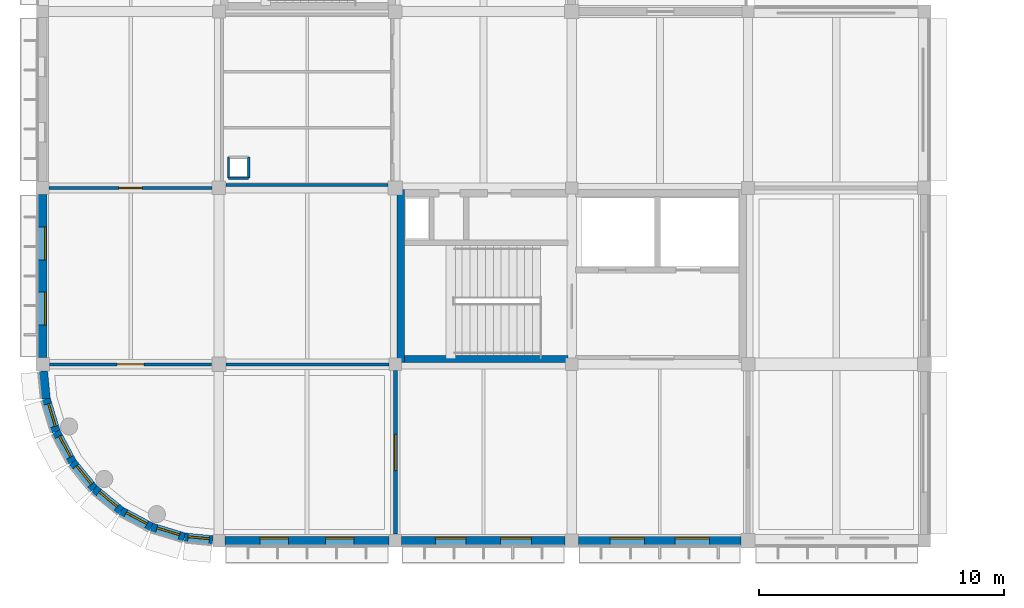
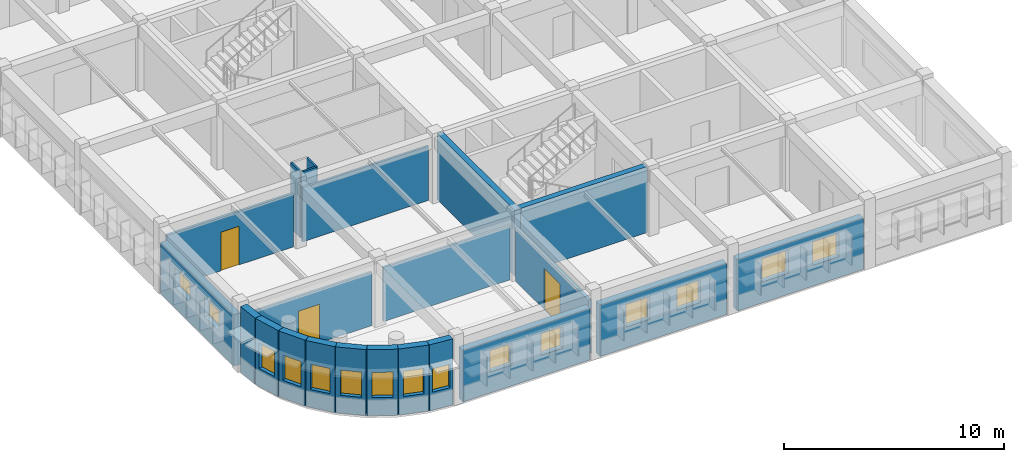
# One storey, part 11 of 22: 22 walls, 15 windows, 3 doors, 18 openings.
"""IFC4 building model written with IfcOpenShell, lengths in metres."""

from ifc_helpers import new_model, si_unit, direction, frame, frame_2d, origin, place, context, subcontext, project, spatial, rectangle, extrude, material, layer, layer_set, type_object, element, fill, save


model = new_model("IFC4")

# Units and contexts
model_context = context("Model", 3, precision=1e-05, world=origin(), true_north=direction((0.0, 1.0)))
body_context = subcontext(model_context, "Body", "Model", "MODEL_VIEW")
ifc_project = project(units=[si_unit("LENGTHUNIT", "METRE"), si_unit("AREAUNIT", "SQUARE_METRE"), si_unit("VOLUMEUNIT", "CUBIC_METRE"), si_unit("PLANEANGLEUNIT", "RADIAN"), si_unit("MASSUNIT", "GRAM", prefix="KILO")], contexts=[model_context])

# Site, building, storey
site_placement = place(None, origin())
site = spatial("IfcSite", under=ifc_project, at=site_placement, CompositionType="ELEMENT")
building_placement = place(site_placement, origin())
building = spatial("IfcBuilding", under=site, at=building_placement, Name="Thalmaran Polytechnic", CompositionType="ELEMENT")
storey_placement = place(building_placement, frame((0.0, 0.0, 22.800048828125)))
storey = spatial("IfcBuildingStorey", under=building, at=storey_placement, Name="L05", CompositionType="ELEMENT", Elevation=22.800048828125)

# Wall, opening, window
ifc_material_1 = material(Name="Precast concrete C40/50", Category="concrete")
ifc_layer_1 = layer(ifc_material_1, 0.360107421875, Name="Precast concrete C40/50")
ifc_layer_set_1 = layer_set([ifc_layer_1], Name="Precast concrete C40/50")
wall_type_1 = type_object("IfcWallType", Name="WL-EW01", PredefinedType="STANDARD", material=ifc_layer_set_1)
wall_1_placement = place(storey_placement, frame((3.199951171875, 1.21337890625, 0.0), z_axis=(0.0, 0.0, 1.0), x_axis=(-0.772977670605, 0.634433227965, 0.0)))
wall_1 = element("IfcWall", 1, at=wall_1_placement, inside=storey, type_object=wall_type_1, Name="Exterior Precast Facade Wall L05-035", PredefinedType="STANDARD", context=body_context, shape_type="SweptSolid", body=[
    extrude(rectangle(XDim=1.41162109375, YDim=0.360107421875, at=frame_2d((0.705810546875, 0.0))), origin(), (0.0, 0.0, 1.0), 3.669921875),
])
opening_1_placement = place(wall_1_placement, frame((0.2255859375, 0.0, 1.0)))
opening_1 = element("IfcOpeningElement", 2, at=opening_1_placement, cuts=wall_1, Name="Opening CR01", PredefinedType="OPENING", context=body_context, shape_type="SweptSolid", body=[
    extrude(rectangle(XDim=0.9599609375, YDim=1.39990234375, at=frame_2d((0.47998046875, 0.699951171875))), frame((0.0, 0.18994140625, 0.0), z_axis=(0.0, -1.0, 0.0), x_axis=(1.0, 0.0, 0.0)), (0.0, 0.0, 1.0), 0.380126953125),
])
ifc_material_2 = material(Name="Thermally broken aluminium and double low-E glass", Category="aluminium")
window_type_1 = type_object("IfcWindowType", Name="WN-CR01", PartitioningType="SINGLE_PANEL", PredefinedType="WINDOW", material=ifc_material_2)
window_1_placement = place(opening_1_placement, origin())
window_1 = element("IfcWindow", 3, at=window_1_placement, inside=storey, type_object=window_type_1, Name="Curved Prow Ribbon Window W-0692", OverallHeight=1.39990234375, OverallWidth=0.9599609375, PartitioningType="SINGLE_PANEL", PredefinedType="WINDOW", context=body_context, shape_type="SweptSolid", body=[
    extrude(rectangle(XDim=0.9599609375, YDim=1.39990234375, at=frame_2d((0.47998046875, 0.699951171875))), frame((0.0, -0.010009765625, 0.0), z_axis=(0.0, -1.0, 0.0), x_axis=(1.0, 0.0, 0.0)), (0.0, 0.0, 1.0), 0.06005859375),
])
fill(opening_1, window_1)

wall_2_placement = place(storey_placement, frame((2.10888671875, 2.10888671875, 0.0), z_axis=(0.0, 0.0, 1.0), x_axis=(-0.634433227965, 0.772977670605, 0.0)))
wall_2 = element("IfcWall", 4, at=wall_2_placement, inside=storey, type_object=wall_type_1, Name="Exterior Precast Facade Wall L05-036", PredefinedType="STANDARD", context=body_context, shape_type="SweptSolid", body=[
    extrude(rectangle(XDim=1.41162109375, YDim=0.360107421875, at=frame_2d((0.705810546875, 0.0))), origin(), (0.0, 0.0, 1.0), 3.669921875),
])
opening_2_placement = place(wall_2_placement, frame((0.2255859375, 0.0, 1.0)))
opening_2 = element("IfcOpeningElement", 5, at=opening_2_placement, cuts=wall_2, Name="Opening CR01", PredefinedType="OPENING", context=body_context, shape_type="SweptSolid", body=[
    extrude(rectangle(XDim=0.9599609375, YDim=1.39990234375, at=frame_2d((0.47998046875, 0.699951171875))), frame((0.0, 0.18994140625, 0.0), z_axis=(0.0, -1.0, 0.0), x_axis=(1.0, 0.0, 0.0)), (0.0, 0.0, 1.0), 0.380126953125),
])
window_2_placement = place(opening_2_placement, origin())
window_2 = element("IfcWindow", 6, at=window_2_placement, inside=storey, type_object=window_type_1, Name="Curved Prow Ribbon Window W-0693", OverallHeight=1.39990234375, OverallWidth=0.9599609375, PartitioningType="SINGLE_PANEL", PredefinedType="WINDOW", context=body_context, shape_type="SweptSolid", body=[
    extrude(rectangle(XDim=0.9599609375, YDim=1.39990234375, at=frame_2d((0.47998046875, 0.699951171875))), frame((0.0, -0.010009765625, 0.0), z_axis=(0.0, -1.0, 0.0), x_axis=(1.0, 0.0, 0.0)), (0.0, 0.0, 1.0), 0.06005859375),
])
fill(opening_2, window_2)

wall_3_placement = place(storey_placement, frame((1.21337890625, 3.199951171875, 0.0), z_axis=(0.0, 0.0, 1.0), x_axis=(-0.471405109778, 0.881916788861, 0.0)))
wall_3 = element("IfcWall", 7, at=wall_3_placement, inside=storey, type_object=wall_type_1, Name="Exterior Precast Facade Wall L05-037", PredefinedType="STANDARD", context=body_context, shape_type="SweptSolid", body=[
    extrude(rectangle(XDim=1.411376953125, YDim=0.360107421875, at=frame_2d((0.70556640625, 0.0))), origin(), (0.0, 0.0, 1.0), 3.669921875),
])
opening_3_placement = place(wall_3_placement, frame((0.2255859375, 0.0, 1.0)))
opening_3 = element("IfcOpeningElement", 8, at=opening_3_placement, cuts=wall_3, Name="Opening CR01", PredefinedType="OPENING", context=body_context, shape_type="SweptSolid", body=[
    extrude(rectangle(XDim=0.9599609375, YDim=1.39990234375, at=frame_2d((0.47998046875, 0.699951171875))), frame((0.0, 0.18994140625, 0.0), z_axis=(0.0, -1.0, 0.0), x_axis=(1.0, 0.0, 0.0)), (0.0, 0.0, 1.0), 0.380126953125),
])
window_3_placement = place(opening_3_placement, origin())
window_3 = element("IfcWindow", 9, at=window_3_placement, inside=storey, type_object=window_type_1, Name="Curved Prow Ribbon Window W-0694", OverallHeight=1.39990234375, OverallWidth=0.9599609375, PartitioningType="SINGLE_PANEL", PredefinedType="WINDOW", context=body_context, shape_type="SweptSolid", body=[
    extrude(rectangle(XDim=0.9599609375, YDim=1.39990234375, at=frame_2d((0.47998046875, 0.699951171875))), frame((0.0, -0.010009765625, 0.0), z_axis=(0.0, -1.0, 0.0), x_axis=(1.0, 0.0, 0.0)), (0.0, 0.0, 1.0), 0.06005859375),
])
fill(opening_3, window_3)

wall_4_placement = place(storey_placement, frame((0.548095703125, 4.444580078125, 0.0), z_axis=(0.0, 0.0, 1.0), x_axis=(-0.290218599957, 0.95696037757, 0.0)))
wall_4 = element("IfcWall", 10, at=wall_4_placement, inside=storey, type_object=wall_type_1, Name="Exterior Precast Facade Wall L05-038", PredefinedType="STANDARD", context=body_context, shape_type="SweptSolid", body=[
    extrude(rectangle(XDim=1.41162109375, YDim=0.360107421875, at=frame_2d((0.705810546875, 0.0))), origin(), (0.0, 0.0, 1.0), 3.669921875),
])
opening_4_placement = place(wall_4_placement, frame((0.2255859375, 0.0, 1.0)))
opening_4 = element("IfcOpeningElement", 11, at=opening_4_placement, cuts=wall_4, Name="Opening CR01", PredefinedType="OPENING", context=body_context, shape_type="SweptSolid", body=[
    extrude(rectangle(XDim=0.9599609375, YDim=1.39990234375, at=frame_2d((0.47998046875, 0.699951171875))), frame((0.0, 0.18994140625, 0.0), z_axis=(0.0, -1.0, 0.0), x_axis=(1.0, 0.0, 0.0)), (0.0, 0.0, 1.0), 0.380126953125),
])
window_4_placement = place(opening_4_placement, origin())
window_4 = element("IfcWindow", 12, at=window_4_placement, inside=storey, type_object=window_type_1, Name="Curved Prow Ribbon Window W-0695", OverallHeight=1.39990234375, OverallWidth=0.9599609375, PartitioningType="SINGLE_PANEL", PredefinedType="WINDOW", context=body_context, shape_type="SweptSolid", body=[
    extrude(rectangle(XDim=0.9599609375, YDim=1.39990234375, at=frame_2d((0.47998046875, 0.699951171875))), frame((0.0, -0.010009765625, 0.0), z_axis=(0.0, -1.0, 0.0), x_axis=(1.0, 0.0, 0.0)), (0.0, 0.0, 1.0), 0.06005859375),
])
fill(opening_4, window_4)

# Wall
wall_5_placement = place(storey_placement, frame((0.138427734375, 5.79541015625, 0.0), z_axis=(0.0, 0.0, 1.0), x_axis=(-0.098184772956, 0.995168202044, 0.0)))
element("IfcWall", 13, at=wall_5_placement, inside=storey, type_object=wall_type_1, Name="Exterior Precast Facade Wall L05-039", PredefinedType="STANDARD", context=body_context, shape_type="SweptSolid", body=[
    extrude(rectangle(XDim=1.13623046875, YDim=0.360107421875, at=frame_2d((0.568115234375, 0.0))), origin(), (0.0, 0.0, 1.0), 3.669921875),
])

# Wall, openings, windows
wall_6_placement = place(storey_placement, frame((0.0, 7.47509765625, 0.0), z_axis=(0.0, 0.0, 1.0), x_axis=(0.0, 1.0, 0.0)))
wall_6 = element("IfcWall", 14, at=wall_6_placement, inside=storey, type_object=wall_type_1, Name="Exterior Precast Facade Wall L05-040", PredefinedType="STANDARD", context=body_context, shape_type="SweptSolid", body=[
    extrude(rectangle(XDim=6.664794921875, YDim=0.360107421875, at=frame_2d((3.33251953125, 0.0))), origin(), (0.0, 0.0, 1.0), 2.864990234375),
])
opening_5_placement = place(wall_6_placement, frame((1.324462890625, 0.0, 1.14990234375)))
opening_5 = element("IfcOpeningElement", 15, at=opening_5_placement, cuts=wall_6, Name="Opening PW15", PredefinedType="OPENING", context=body_context, shape_type="SweptSolid", body=[
    extrude(rectangle(XDim=1.35009765625, YDim=1.10009765625, at=frame_2d((0.675048828125, 0.550048828125))), frame((0.0, 0.18994140625, 0.0), z_axis=(0.0, -1.0, 0.0), x_axis=(1.0, 0.0, 0.0)), (0.0, 0.0, 1.0), 0.380126953125),
])
opening_6_placement = place(wall_6_placement, frame((3.990478515625, 0.0, 1.14990234375)))
opening_6 = element("IfcOpeningElement", 16, at=opening_6_placement, cuts=wall_6, Name="Opening PW15", PredefinedType="OPENING", context=body_context, shape_type="SweptSolid", body=[
    extrude(rectangle(XDim=1.35009765625, YDim=1.10009765625, at=frame_2d((0.675048828125, 0.550048828125))), frame((0.0, 0.18994140625, 0.0), z_axis=(0.0, -1.0, 0.0), x_axis=(1.0, 0.0, 0.0)), (0.0, 0.0, 1.0), 0.380126953125),
])
window_type_2 = type_object("IfcWindowType", Name="WN-PW05", PartitioningType="SINGLE_PANEL", PredefinedType="WINDOW", material=ifc_material_2)
window_5_placement = place(opening_5_placement, origin())
window_5 = element("IfcWindow", 17, at=window_5_placement, inside=storey, type_object=window_type_2, Name="Deep-Set Solar-Screened Window W-0696", OverallHeight=1.10009765625, OverallWidth=1.35009765625, PartitioningType="SINGLE_PANEL", PredefinedType="WINDOW", context=body_context, shape_type="SweptSolid", body=[
    extrude(rectangle(XDim=1.35009765625, YDim=1.10009765625, at=frame_2d((0.675048828125, 0.550048828125))), frame((0.0, -0.080078125, 0.0), z_axis=(0.0, -1.0, 0.0), x_axis=(1.0, 0.0, 0.0)), (0.0, 0.0, 1.0), 0.06005859375),
])
fill(opening_5, window_5)
window_6_placement = place(opening_6_placement, origin())
window_6 = element("IfcWindow", 18, at=window_6_placement, inside=storey, type_object=window_type_2, Name="Deep-Set Solar-Screened Window W-0697", OverallHeight=1.10009765625, OverallWidth=1.35009765625, PartitioningType="SINGLE_PANEL", PredefinedType="WINDOW", context=body_context, shape_type="SweptSolid", body=[
    extrude(rectangle(XDim=1.35009765625, YDim=1.10009765625, at=frame_2d((0.675048828125, 0.550048828125))), frame((0.0, -0.080078125, 0.0), z_axis=(0.0, -1.0, 0.0), x_axis=(1.0, 0.0, 0.0)), (0.0, 0.0, 1.0), 0.06005859375),
])
fill(opening_6, window_6)

wall_7_placement = place(storey_placement, frame((28.510009765625, 0.0, 0.0), z_axis=(0.0, 0.0, 1.0), x_axis=(-1.0, 0.0, 0.0)))
wall_7 = element("IfcWall", 19, at=wall_7_placement, inside=storey, type_object=wall_type_1, Name="Exterior Precast Facade Wall L05-059", PredefinedType="STANDARD", context=body_context, shape_type="SweptSolid", body=[
    extrude(rectangle(XDim=6.635009765625, YDim=0.360107421875, at=frame_2d((3.3173828125, 0.0))), origin(), (0.0, 0.0, 1.0), 2.864990234375),
])
opening_7_placement = place(wall_7_placement, frame((1.29052734375, 0.0, 1.14990234375)))
opening_7 = element("IfcOpeningElement", 20, at=opening_7_placement, cuts=wall_7, Name="Opening VW10", PredefinedType="OPENING", context=body_context, shape_type="SweptSolid", body=[
    extrude(rectangle(XDim=1.39990234375, YDim=1.300048828125, at=frame_2d((0.699951171875, 0.64990234375))), frame((0.0, 0.18994140625, 0.0), z_axis=(0.0, -1.0, 0.0), x_axis=(1.0, 0.0, 0.0)), (0.0, 0.0, 1.0), 0.380126953125),
])
opening_8_placement = place(wall_7_placement, frame((3.944580078125, 0.0, 1.14990234375)))
opening_8 = element("IfcOpeningElement", 21, at=opening_8_placement, cuts=wall_7, Name="Opening VW10", PredefinedType="OPENING", context=body_context, shape_type="SweptSolid", body=[
    extrude(rectangle(XDim=1.39990234375, YDim=1.300048828125, at=frame_2d((0.699951171875, 0.64990234375))), frame((0.0, 0.18994140625, 0.0), z_axis=(0.0, -1.0, 0.0), x_axis=(1.0, 0.0, 0.0)), (0.0, 0.0, 1.0), 0.380126953125),
])
window_type_3 = type_object("IfcWindowType", Name="WN-VZ10", PartitioningType="SINGLE_PANEL", PredefinedType="WINDOW", material=ifc_material_2)
window_7_placement = place(opening_7_placement, origin())
window_7 = element("IfcWindow", 22, at=window_7_placement, inside=storey, type_object=window_type_3, Name="Deep-Set Solar-Screened Window W-0717", OverallHeight=1.300048828125, OverallWidth=1.39990234375, PartitioningType="SINGLE_PANEL", PredefinedType="WINDOW", context=body_context, shape_type="SweptSolid", body=[
    extrude(rectangle(XDim=1.39990234375, YDim=1.300048828125, at=frame_2d((0.699951171875, 0.64990234375))), frame((0.0, -0.080078125, 0.0), z_axis=(0.0, -1.0, 0.0), x_axis=(1.0, 0.0, 0.0)), (0.0, 0.0, 1.0), 0.06005859375),
])
fill(opening_7, window_7)
window_8_placement = place(opening_8_placement, origin())
window_8 = element("IfcWindow", 23, at=window_8_placement, inside=storey, type_object=window_type_3, Name="Deep-Set Solar-Screened Window W-0718", OverallHeight=1.300048828125, OverallWidth=1.39990234375, PartitioningType="SINGLE_PANEL", PredefinedType="WINDOW", context=body_context, shape_type="SweptSolid", body=[
    extrude(rectangle(XDim=1.39990234375, YDim=1.300048828125, at=frame_2d((0.699951171875, 0.64990234375))), frame((0.0, -0.080078125, 0.0), z_axis=(0.0, -1.0, 0.0), x_axis=(1.0, 0.0, 0.0)), (0.0, 0.0, 1.0), 0.06005859375),
])
fill(opening_8, window_8)

wall_8_placement = place(storey_placement, frame((21.324951171875, 0.0, 0.0), z_axis=(0.0, 0.0, 1.0), x_axis=(-1.0, 0.0, 0.0)))
wall_8 = element("IfcWall", 24, at=wall_8_placement, inside=storey, type_object=wall_type_1, Name="Exterior Precast Facade Wall L05-060", PredefinedType="STANDARD", context=body_context, shape_type="SweptSolid", body=[
    extrude(rectangle(XDim=6.6650390625, YDim=0.360107421875, at=frame_2d((3.33251953125, 0.0))), origin(), (0.0, 0.0, 1.0), 2.864990234375),
])
opening_9_placement = place(wall_8_placement, frame((1.37451171875, 0.0, 1.14990234375)))
opening_9 = element("IfcOpeningElement", 25, at=opening_9_placement, cuts=wall_8, Name="Opening VW11", PredefinedType="OPENING", context=body_context, shape_type="SweptSolid", body=[
    extrude(rectangle(XDim=1.25, YDim=1.25, at=frame_2d((0.625, 0.625))), frame((0.0, 0.18994140625, 0.0), z_axis=(0.0, -1.0, 0.0), x_axis=(1.0, 0.0, 0.0)), (0.0, 0.0, 1.0), 0.380126953125),
])
opening_10_placement = place(wall_8_placement, frame((4.04052734375, 0.0, 1.14990234375)))
opening_10 = element("IfcOpeningElement", 26, at=opening_10_placement, cuts=wall_8, Name="Opening VW11", PredefinedType="OPENING", context=body_context, shape_type="SweptSolid", body=[
    extrude(rectangle(XDim=1.25, YDim=1.25, at=frame_2d((0.625, 0.625))), frame((0.0, 0.18994140625, 0.0), z_axis=(0.0, -1.0, 0.0), x_axis=(1.0, 0.0, 0.0)), (0.0, 0.0, 1.0), 0.380126953125),
])
window_type_4 = type_object("IfcWindowType", Name="WN-VZ11", PartitioningType="SINGLE_PANEL", PredefinedType="WINDOW", material=ifc_material_2)
window_9_placement = place(opening_9_placement, origin())
window_9 = element("IfcWindow", 27, at=window_9_placement, inside=storey, type_object=window_type_4, Name="Deep-Set Solar-Screened Window W-0719", OverallHeight=1.25, OverallWidth=1.25, PartitioningType="SINGLE_PANEL", PredefinedType="WINDOW", context=body_context, shape_type="SweptSolid", body=[
    extrude(rectangle(XDim=1.25, YDim=1.25, at=frame_2d((0.625, 0.625))), frame((0.0, -0.080078125, 0.0), z_axis=(0.0, -1.0, 0.0), x_axis=(1.0, 0.0, 0.0)), (0.0, 0.0, 1.0), 0.06005859375),
])
fill(opening_9, window_9)
window_10_placement = place(opening_10_placement, origin())
window_10 = element("IfcWindow", 28, at=window_10_placement, inside=storey, type_object=window_type_4, Name="Deep-Set Solar-Screened Window W-0720", OverallHeight=1.25, OverallWidth=1.25, PartitioningType="SINGLE_PANEL", PredefinedType="WINDOW", context=body_context, shape_type="SweptSolid", body=[
    extrude(rectangle(XDim=1.25, YDim=1.25, at=frame_2d((0.625, 0.625))), frame((0.0, -0.080078125, 0.0), z_axis=(0.0, -1.0, 0.0), x_axis=(1.0, 0.0, 0.0)), (0.0, 0.0, 1.0), 0.06005859375),
])
fill(opening_10, window_10)

wall_9_placement = place(storey_placement, frame((14.139892578125, 0.0, 0.0), z_axis=(0.0, 0.0, 1.0), x_axis=(-1.0, 0.0, 0.0)))
wall_9 = element("IfcWall", 29, at=wall_9_placement, inside=storey, type_object=wall_type_1, Name="Exterior Precast Facade Wall L05-061", PredefinedType="STANDARD", context=body_context, shape_type="SweptSolid", body=[
    extrude(rectangle(XDim=6.68994140625, YDim=0.360107421875, at=frame_2d((3.344970703125, 0.0))), origin(), (0.0, 0.0, 1.0), 2.864990234375),
])
opening_11_placement = place(wall_9_placement, frame((1.431884765625, 0.0, 1.14990234375)))
opening_11 = element("IfcOpeningElement", 30, at=opening_11_placement, cuts=wall_9, Name="Opening VW12", PredefinedType="OPENING", context=body_context, shape_type="SweptSolid", body=[
    extrude(rectangle(XDim=1.14990234375, YDim=1.199951171875, at=frame_2d((0.574951171875, 0.60009765625))), frame((0.0, 0.18994140625, 0.0), z_axis=(0.0, -1.0, 0.0), x_axis=(1.0, 0.0, 0.0)), (0.0, 0.0, 1.0), 0.380126953125),
])
opening_12_placement = place(wall_9_placement, frame((4.10791015625, 0.0, 1.14990234375)))
opening_12 = element("IfcOpeningElement", 31, at=opening_12_placement, cuts=wall_9, Name="Opening VW12", PredefinedType="OPENING", context=body_context, shape_type="SweptSolid", body=[
    extrude(rectangle(XDim=1.14990234375, YDim=1.199951171875, at=frame_2d((0.574951171875, 0.60009765625))), frame((0.0, 0.18994140625, 0.0), z_axis=(0.0, -1.0, 0.0), x_axis=(1.0, 0.0, 0.0)), (0.0, 0.0, 1.0), 0.380126953125),
])
window_type_5 = type_object("IfcWindowType", Name="WN-VZ12", PartitioningType="SINGLE_PANEL", PredefinedType="WINDOW", material=ifc_material_2)
window_11_placement = place(opening_11_placement, origin())
window_11 = element("IfcWindow", 32, at=window_11_placement, inside=storey, type_object=window_type_5, Name="Deep-Set Solar-Screened Window W-0721", OverallHeight=1.199951171875, OverallWidth=1.14990234375, PartitioningType="SINGLE_PANEL", PredefinedType="WINDOW", context=body_context, shape_type="SweptSolid", body=[
    extrude(rectangle(XDim=1.14990234375, YDim=1.199951171875, at=frame_2d((0.574951171875, 0.60009765625))), frame((0.0, -0.080078125, 0.0), z_axis=(0.0, -1.0, 0.0), x_axis=(1.0, 0.0, 0.0)), (0.0, 0.0, 1.0), 0.06005859375),
])
fill(opening_11, window_11)
window_12_placement = place(opening_12_placement, origin())
window_12 = element("IfcWindow", 33, at=window_12_placement, inside=storey, type_object=window_type_5, Name="Deep-Set Solar-Screened Window W-0722", OverallHeight=1.199951171875, OverallWidth=1.14990234375, PartitioningType="SINGLE_PANEL", PredefinedType="WINDOW", context=body_context, shape_type="SweptSolid", body=[
    extrude(rectangle(XDim=1.14990234375, YDim=1.199951171875, at=frame_2d((0.574951171875, 0.60009765625))), frame((0.0, -0.080078125, 0.0), z_axis=(0.0, -1.0, 0.0), x_axis=(1.0, 0.0, 0.0)), (0.0, 0.0, 1.0), 0.06005859375),
])
fill(opening_12, window_12)

# Wall, opening, window
wall_10_placement = place(storey_placement, frame((6.951171875, 0.0244140625, 0.0), z_axis=(0.0, 0.0, 1.0), x_axis=(-0.995169505688, 0.098171558757, 0.0)))
wall_10 = element("IfcWall", 34, at=wall_10_placement, inside=storey, type_object=wall_type_1, Name="Exterior Precast Facade Wall L05-062", PredefinedType="STANDARD", context=body_context, shape_type="SweptSolid", body=[
    extrude(rectangle(XDim=1.161376953125, YDim=0.360107421875, at=frame_2d((0.58056640625, 0.0))), origin(), (0.0, 0.0, 1.0), 3.669921875),
])
opening_13_placement = place(wall_10_placement, frame((0.140625, 0.0, 1.0)))
opening_13 = element("IfcOpeningElement", 35, at=opening_13_placement, cuts=wall_10, Name="Opening CR02", PredefinedType="OPENING", context=body_context, shape_type="SweptSolid", body=[
    extrude(rectangle(XDim=0.8798828125, YDim=1.300048828125, at=frame_2d((0.43994140625, 0.64990234375))), frame((0.0, 0.18994140625, 0.0), z_axis=(0.0, -1.0, 0.0), x_axis=(1.0, 0.0, 0.0)), (0.0, 0.0, 1.0), 0.380126953125),
])
window_type_6 = type_object("IfcWindowType", Name="WN-CR02", PartitioningType="SINGLE_PANEL", PredefinedType="WINDOW", material=ifc_material_2)
window_13_placement = place(opening_13_placement, origin())
window_13 = element("IfcWindow", 36, at=window_13_placement, inside=storey, type_object=window_type_6, Name="Curved Prow Ribbon Window W-0723", OverallHeight=1.300048828125, OverallWidth=0.8798828125, PartitioningType="SINGLE_PANEL", PredefinedType="WINDOW", context=body_context, shape_type="SweptSolid", body=[
    extrude(rectangle(XDim=0.8798828125, YDim=1.300048828125, at=frame_2d((0.43994140625, 0.64990234375))), frame((0.0, -0.010009765625, 0.0), z_axis=(0.0, -1.0, 0.0), x_axis=(1.0, 0.0, 0.0)), (0.0, 0.0, 1.0), 0.06005859375),
])
fill(opening_13, window_13)

wall_11_placement = place(storey_placement, frame((5.79541015625, 0.138427734375, 0.0), z_axis=(0.0, 0.0, 1.0), x_axis=(-0.95696037757, 0.290218599957, 0.0)))
wall_11 = element("IfcWall", 37, at=wall_11_placement, inside=storey, type_object=wall_type_1, Name="Exterior Precast Facade Wall L05-063", PredefinedType="STANDARD", context=body_context, shape_type="SweptSolid", body=[
    extrude(rectangle(XDim=1.41162109375, YDim=0.360107421875, at=frame_2d((0.705810546875, 0.0))), origin(), (0.0, 0.0, 1.0), 3.669921875),
])
opening_14_placement = place(wall_11_placement, frame((0.2255859375, 0.0, 1.0)))
opening_14 = element("IfcOpeningElement", 38, at=opening_14_placement, cuts=wall_11, Name="Opening CR01", PredefinedType="OPENING", context=body_context, shape_type="SweptSolid", body=[
    extrude(rectangle(XDim=0.9599609375, YDim=1.39990234375, at=frame_2d((0.47998046875, 0.699951171875))), frame((0.0, 0.18994140625, 0.0), z_axis=(0.0, -1.0, 0.0), x_axis=(1.0, 0.0, 0.0)), (0.0, 0.0, 1.0), 0.380126953125),
])
window_14_placement = place(opening_14_placement, origin())
window_14 = element("IfcWindow", 39, at=window_14_placement, inside=storey, type_object=window_type_1, Name="Curved Prow Ribbon Window W-0724", OverallHeight=1.39990234375, OverallWidth=0.9599609375, PartitioningType="SINGLE_PANEL", PredefinedType="WINDOW", context=body_context, shape_type="SweptSolid", body=[
    extrude(rectangle(XDim=0.9599609375, YDim=1.39990234375, at=frame_2d((0.47998046875, 0.699951171875))), frame((0.0, -0.010009765625, 0.0), z_axis=(0.0, -1.0, 0.0), x_axis=(1.0, 0.0, 0.0)), (0.0, 0.0, 1.0), 0.06005859375),
])
fill(opening_14, window_14)

wall_12_placement = place(storey_placement, frame((4.444580078125, 0.548095703125, 0.0), z_axis=(0.0, 0.0, 1.0), x_axis=(-0.881916788861, 0.471405109778, 0.0)))
wall_12 = element("IfcWall", 40, at=wall_12_placement, inside=storey, type_object=wall_type_1, Name="Exterior Precast Facade Wall L05-064", PredefinedType="STANDARD", context=body_context, shape_type="SweptSolid", body=[
    extrude(rectangle(XDim=1.411376953125, YDim=0.360107421875, at=frame_2d((0.70556640625, 0.0))), origin(), (0.0, 0.0, 1.0), 3.669921875),
])
opening_15_placement = place(wall_12_placement, frame((0.2255859375, 0.0, 1.0)))
opening_15 = element("IfcOpeningElement", 41, at=opening_15_placement, cuts=wall_12, Name="Opening CR01", PredefinedType="OPENING", context=body_context, shape_type="SweptSolid", body=[
    extrude(rectangle(XDim=0.9599609375, YDim=1.39990234375, at=frame_2d((0.47998046875, 0.699951171875))), frame((0.0, 0.18994140625, 0.0), z_axis=(0.0, -1.0, 0.0), x_axis=(1.0, 0.0, 0.0)), (0.0, 0.0, 1.0), 0.380126953125),
])
window_15_placement = place(opening_15_placement, origin())
window_15 = element("IfcWindow", 42, at=window_15_placement, inside=storey, type_object=window_type_1, Name="Curved Prow Ribbon Window W-0725", OverallHeight=1.39990234375, OverallWidth=0.9599609375, PartitioningType="SINGLE_PANEL", PredefinedType="WINDOW", context=body_context, shape_type="SweptSolid", body=[
    extrude(rectangle(XDim=0.9599609375, YDim=1.39990234375, at=frame_2d((0.47998046875, 0.699951171875))), frame((0.0, -0.010009765625, 0.0), z_axis=(0.0, -1.0, 0.0), x_axis=(1.0, 0.0, 0.0)), (0.0, 0.0, 1.0), 0.06005859375),
])
fill(opening_15, window_15)

# Wall, opening, door
ifc_material_3 = material(Name="Gypsum acoustic partition")
ifc_layer_2 = layer(ifc_material_3, 0.159912109375, Name="Gypsum acoustic partition")
ifc_layer_set_2 = layer_set([ifc_layer_2], Name="Gypsum acoustic partition")
wall_type_2 = type_object("IfcWallType", Name="WL-IW05", PredefinedType="PARTITIONING", material=ifc_layer_set_2)
wall_13_placement = place(storey_placement, frame((14.39990234375, 0.264892578125, 0.0), z_axis=(0.0, 0.0, 1.0), x_axis=(0.0, 1.0, 0.0)))
wall_13 = element("IfcWall", 43, at=wall_13_placement, inside=storey, type_object=wall_type_2, Name="Interior Partition IW05 L05-008", PredefinedType="PARTITIONING", context=body_context, shape_type="SweptSolid", body=[
    extrude(rectangle(XDim=6.68017578125, YDim=0.159912109375, at=frame_2d((3.340087890625, 0.0))), origin(), (0.0, 0.0, 1.0), 2.974853515625),
])
opening_16_placement = place(wall_13_placement, frame((2.60009765625, 0.0, 0.0)))
opening_16 = element("IfcOpeningElement", 44, at=opening_16_placement, cuts=wall_13, Name="Opening D-L05-001-1-01-1", PredefinedType="OPENING", context=body_context, shape_type="SweptSolid", body=[
    extrude(rectangle(XDim=1.47998046875, YDim=2.280029296875, at=frame_2d((0.739990234375, 1.14013671875))), frame((0.0, 0.08984375, 0.0), z_axis=(0.0, -1.0, 0.0), x_axis=(1.0, 0.0, 0.0)), (0.0, 0.0, 1.0), 0.179931640625),
])
ifc_material_4 = material(Name="Powder-coated fire-rated steel", Category="steel")
door_type_1 = type_object("IfcDoorType", Name="DR-ZD09", OperationType="NOTDEFINED", PredefinedType="DOOR", material=ifc_material_4)
door_1_placement = place(opening_16_placement, origin())
door_1 = element("IfcDoor", 45, at=door_1_placement, inside=storey, type_object=door_type_1, Name="Structural Models Design Studio L05-01 Door 1", OperationType="SINGLE_SWING_LEFT", OverallHeight=2.280029296875, OverallWidth=1.47998046875, PredefinedType="DOOR", context=body_context, shape_type="SweptSolid", body=[
    extrude(rectangle(XDim=1.47998046875, YDim=2.280029296875, at=frame_2d((0.739990234375, 1.14013671875))), frame((0.0, 0.02490234375, 0.0), z_axis=(0.0, -1.0, 0.0), x_axis=(1.0, 0.0, 0.0)), (0.0, 0.0, 1.0), 0.050048828125),
])
fill(opening_16, door_1)

ifc_layer_3 = layer(ifc_material_3, 0.1298828125, Name="Gypsum acoustic partition")
ifc_layer_set_3 = layer_set([ifc_layer_3], Name="Gypsum acoustic partition")
wall_type_3 = type_object("IfcWallType", Name="WL-IW07", PredefinedType="PARTITIONING", material=ifc_layer_set_3)
wall_14_placement = place(storey_placement, frame((0.264892578125, 14.39990234375, 0.0), z_axis=(0.0, 0.0, 1.0), x_axis=(1.0, 0.0, 0.0)))
wall_14 = element("IfcWall", 46, at=wall_14_placement, inside=storey, type_object=wall_type_3, Name="Interior Partition IW07 L05-002", PredefinedType="PARTITIONING", context=body_context, shape_type="SweptSolid", body=[
    extrude(rectangle(XDim=6.655029296875, YDim=0.1298828125, at=frame_2d((3.32763671875, 0.0))), origin(), (0.0, 0.0, 1.0), 2.969970703125),
])
opening_17_placement = place(wall_14_placement, frame((2.8525390625, 0.0, 0.0)))
opening_17 = element("IfcOpeningElement", 47, at=opening_17_placement, cuts=wall_14, Name="Opening D-L05-004-1-04-1", PredefinedType="OPENING", context=body_context, shape_type="SweptSolid", body=[
    extrude(rectangle(XDim=0.949951171875, YDim=2.14990234375, at=frame_2d((0.47509765625, 1.074951171875))), frame((0.0, 0.074951171875, 0.0), z_axis=(0.0, -1.0, 0.0), x_axis=(1.0, 0.0, 0.0)), (0.0, 0.0, 1.0), 0.14990234375),
])
door_type_2 = type_object("IfcDoorType", Name="DR-FD08", OperationType="NOTDEFINED", PredefinedType="DOOR", material=ifc_material_4)
door_2_placement = place(opening_17_placement, origin())
door_2 = element("IfcDoor", 48, at=door_2_placement, inside=storey, type_object=door_type_2, Name="Fluid Mechanics Laboratory L05-04 Door 1", OperationType="SINGLE_SWING_RIGHT", OverallHeight=2.14990234375, OverallWidth=0.949951171875, PredefinedType="DOOR", context=body_context, shape_type="SweptSolid", body=[
    extrude(rectangle(XDim=0.949951171875, YDim=2.14990234375, at=frame_2d((0.47509765625, 1.074951171875))), frame((0.0, 0.02490234375, 0.0), z_axis=(0.0, -1.0, 0.0), x_axis=(1.0, 0.0, 0.0)), (0.0, 0.0, 1.0), 0.050048828125),
])
fill(opening_17, door_2)

# Wall
ifc_layer_4 = layer(ifc_material_3, 0.114990234375, Name="Gypsum acoustic partition")
ifc_layer_set_4 = layer_set([ifc_layer_4], Name="Gypsum acoustic partition")
wall_type_4 = type_object("IfcWallType", Name="WL-IW08", PredefinedType="PARTITIONING", material=ifc_layer_set_4)
wall_15_placement = place(storey_placement, frame((7.47998046875, 14.52001953125, 0.0), z_axis=(0.0, 0.0, 1.0), x_axis=(1.0, 0.0, 0.0)))
element("IfcWall", 49, at=wall_15_placement, inside=storey, type_object=wall_type_4, Name="Sanitary Core Wall L05-W1-S", PredefinedType="PARTITIONING", context=body_context, shape_type="SweptSolid", body=[
    extrude(rectangle(XDim=6.625, YDim=0.114990234375, at=frame_2d((3.3125, 0.0))), origin(), (0.0, 0.0, 1.0), 3.010009765625),
])

# Wall, opening, door
wall_16_placement = place(storey_placement, frame((0.280029296875, 7.199951171875, 0.0), z_axis=(0.0, 0.0, 1.0), x_axis=(1.0, 0.0, 0.0)))
wall_16 = element("IfcWall", 50, at=wall_16_placement, inside=storey, type_object=wall_type_4, Name="Interior Partition IW08 L05-001", PredefinedType="PARTITIONING", context=body_context, shape_type="SweptSolid", body=[
    extrude(rectangle(XDim=6.625, YDim=0.114990234375, at=frame_2d((3.3125, 0.0))), origin(), (0.0, 0.0, 1.0), 2.969970703125),
])
opening_18_placement = place(wall_16_placement, frame((2.762451171875, 0.0, 0.0)))
opening_18 = element("IfcOpeningElement", 51, at=opening_18_placement, cuts=wall_16, Name="Opening D-L05-003-1-03-1", PredefinedType="OPENING", context=body_context, shape_type="SweptSolid", body=[
    extrude(rectangle(XDim=1.10009765625, YDim=2.14990234375, at=frame_2d((0.550048828125, 1.074951171875))), frame((0.0, 0.0673828125, 0.0), z_axis=(0.0, -1.0, 0.0), x_axis=(1.0, 0.0, 0.0)), (0.0, 0.0, 1.0), 0.135009765625),
])
door_type_3 = type_object("IfcDoorType", Name="DR-FD07", OperationType="NOTDEFINED", PredefinedType="DOOR", material=ifc_material_4)
door_3_placement = place(opening_18_placement, origin())
door_3 = element("IfcDoor", 52, at=door_3_placement, inside=storey, type_object=door_type_3, Name="Academic Department Suite L05-03 Door 1", OperationType="SINGLE_SWING_LEFT", OverallHeight=2.14990234375, OverallWidth=1.10009765625, PredefinedType="DOOR", context=body_context, shape_type="SweptSolid", body=[
    extrude(rectangle(XDim=1.10009765625, YDim=2.14990234375, at=frame_2d((0.550048828125, 1.074951171875))), frame((0.0, 0.02490234375, 0.0), z_axis=(0.0, -1.0, 0.0), x_axis=(1.0, 0.0, 0.0)), (0.0, 0.0, 1.0), 0.050048828125),
])
fill(opening_18, door_3)

# Walls
wall_17_placement = place(storey_placement, frame((7.4951171875, 7.199951171875, 0.0), z_axis=(0.0, 0.0, 1.0), x_axis=(1.0, 0.0, 0.0)))
element("IfcWall", 53, at=wall_17_placement, inside=storey, type_object=wall_type_4, Name="Interior Partition IW08 L05-009", PredefinedType="PARTITIONING", context=body_context, shape_type="SweptSolid", body=[
    extrude(rectangle(XDim=6.64990234375, YDim=0.114990234375, at=frame_2d((3.324951171875, 0.0))), origin(), (0.0, 0.0, 1.0), 3.010009765625),
])
ifc_material_5 = material(Name="Moisture-resistant partition")
ifc_layer_5 = layer(ifc_material_5, 0.10009765625, Name="Moisture-resistant partition")
ifc_layer_set_5 = layer_set([ifc_layer_5], Name="Moisture-resistant partition")
wall_type_5 = type_object("IfcWallType", Name="WL-IW09", PredefinedType="PARTITIONING", material=ifc_layer_set_5)
wall_18_placement = place(storey_placement, frame((7.590087890625, 14.800048828125, 0.0), z_axis=(0.0, 0.0, 1.0), x_axis=(1.0, 0.0, 0.0)))
element("IfcWall", 54, at=wall_18_placement, inside=storey, type_object=wall_type_5, Name="Plumbing Riser Chase Wall L05-W1-S", PredefinedType="PARTITIONING", context=body_context, shape_type="SweptSolid", body=[
    extrude(rectangle(XDim=0.81982421875, YDim=0.10009765625, at=frame_2d((0.409912109375, 0.0))), origin(), (0.0, 0.0, 1.0), 3.669921875),
])
for number, where, z_axis, x_axis, name in (
    (55, (8.409912109375, 14.800048828125, 0.0), (0.0, 0.0, 1.0), (0.0, 1.0, 0.0), "Plumbing Riser Chase Wall L05-W1-E"),
    (56, (7.590087890625, 15.659912109375, 0.0), (0.0, 0.0, 1.0), (0.0, -1.0, 0.0), "Plumbing Riser Chase Wall L05-W1-W"),
):
    element("IfcWall", number, at=place(storey_placement, frame(where, z_axis=z_axis, x_axis=x_axis)), inside=storey, type_object=wall_type_5, Name=name, PredefinedType="PARTITIONING", context=body_context, shape_type="SweptSolid", body=[
        extrude(rectangle(XDim=0.85986328125, YDim=0.10009765625, at=frame_2d((0.429931640625, 0.0))), origin(), (0.0, 0.0, 1.0), 3.669921875),
    ])
ifc_material_6 = material(Name="Concrete C50/60", Category="concrete")
ifc_layer_6 = layer(ifc_material_6, 0.300048828125, Name="Concrete C50/60")
ifc_layer_set_6 = layer_set([ifc_layer_6], Name="Concrete C50/60")
wall_type_6 = type_object("IfcWallType", Name="WL-SW04", PredefinedType="SHEAR", material=ifc_layer_set_6)
wall_19_placement = place(storey_placement, frame((14.77001953125, 7.419921875, 0.0), z_axis=(0.0, 0.0, 1.0), x_axis=(1.0, 0.0, 0.0)))
element("IfcWall", 57, at=wall_19_placement, inside=storey, type_object=wall_type_6, Name="Core C1 South Shear Wall L05", PredefinedType="SHEAR", context=body_context, shape_type="SweptSolid", body=[
    extrude(rectangle(XDim=6.679931640625, YDim=0.300048828125, at=frame_2d((3.33984375, 0.0))), origin(), (0.0, 0.0, 1.0), 3.669921875),
])
wall_20_placement = place(storey_placement, frame((14.6201171875, 14.330078125, 0.0), z_axis=(0.0, 0.0, 1.0), x_axis=(0.0, -1.0, 0.0)))
element("IfcWall", 58, at=wall_20_placement, inside=storey, type_object=wall_type_6, Name="Core C1 West Shear Wall L05", PredefinedType="SHEAR", context=body_context, shape_type="SweptSolid", body=[
    extrude(rectangle(XDim=7.06005859375, YDim=0.300048828125, at=frame_2d((3.530029296875, 0.0))), origin(), (0.0, 0.0, 1.0), 3.669921875),
])

save(model, "model.ifc")
